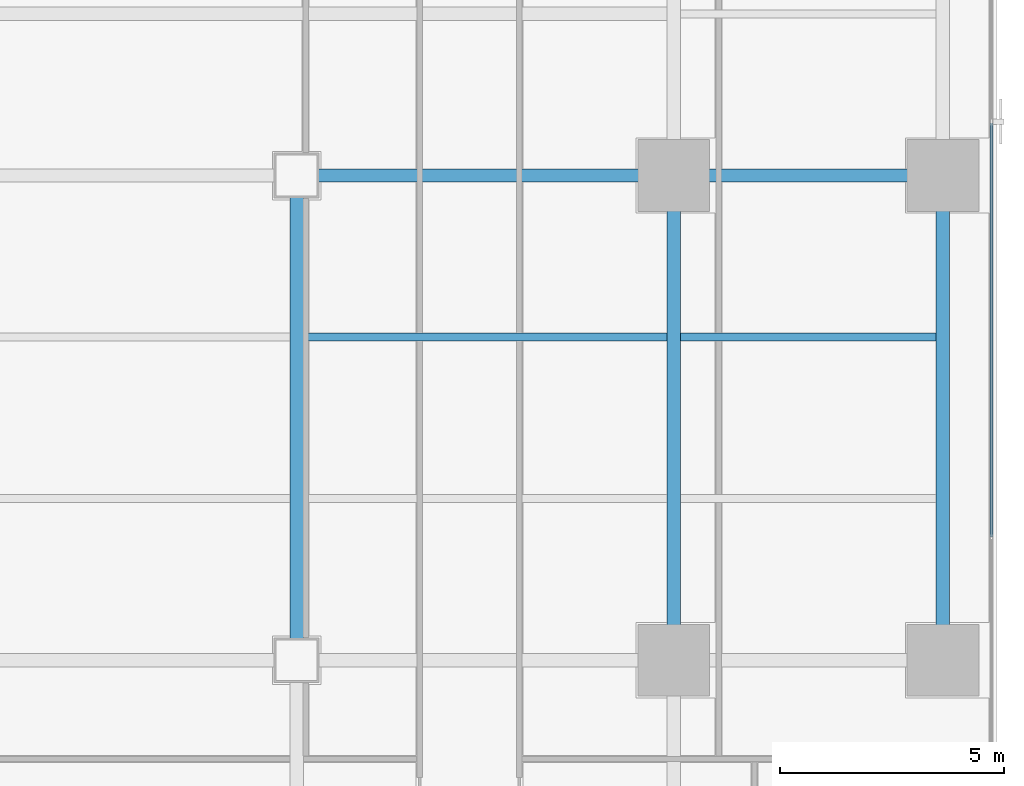
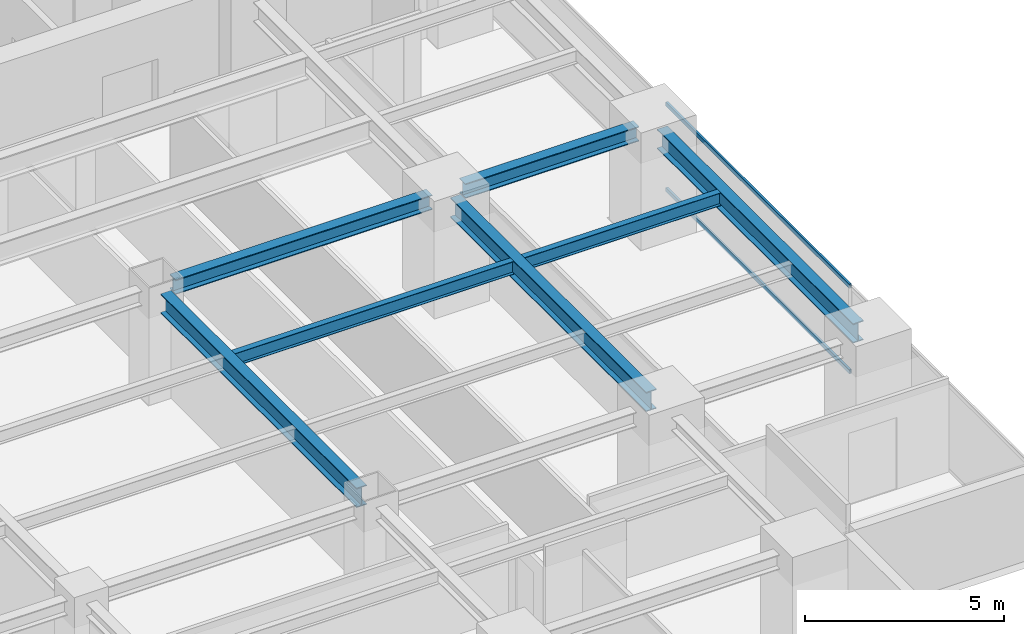
# One storey, part 12 of 28: 7 beams, 2 members, 1 element without a shape of its own.
"""IFC4 building model written with IfcOpenShell, lengths in metres."""

from ifc_helpers import new_model, si_unit, direction, frame, origin, origin_2d, place, context, subcontext, project, spatial, hollow_rectangle, i_section, extrude, source, transform, mapped, material, layer, layer_set, material_profile, profile_set, type_object, element, aggregate, save


model = new_model("IFC4")

# Units and contexts
model_context = context("Model", 3, precision=1e-05, world=origin(), true_north=direction((0.0, 1.0)))
body_context = subcontext(model_context, "Body", "Model", "MODEL_VIEW")
ifc_project = project(units=[si_unit("LENGTHUNIT", "METRE"), si_unit("AREAUNIT", "SQUARE_METRE"), si_unit("VOLUMEUNIT", "CUBIC_METRE"), si_unit("PLANEANGLEUNIT", "RADIAN"), si_unit("MASSUNIT", "GRAM", prefix="KILO")], contexts=[model_context])

# Site, building, storey
site_placement = place(None, origin())
site = spatial("IfcSite", under=ifc_project, at=site_placement, CompositionType="ELEMENT")
building_placement = place(site_placement, origin())
building = spatial("IfcBuilding", under=site, at=building_placement, Name="Sumidabori Civic Tower", CompositionType="ELEMENT")
storey_placement = place(building_placement, frame((0.0, 0.0, 185.60009765625)))
storey = spatial("IfcBuildingStorey", under=building, at=storey_placement, Name="L48", CompositionType="ELEMENT", Elevation=185.60009765625)

# Beams
ifc_material_1 = material(Name="Steel SN490", Category="steel")
ifc_material_profile_1 = material_profile(ifc_material_1, i_section(OverallWidth=0.300048828125, OverallDepth=0.60009765625, WebThickness=0.015380859375, FlangeThickness=0.030029296875, at=origin_2d()), Name="HE 600 B")
ifc_profile_set_1 = profile_set([ifc_material_profile_1], Name="Steel SN490")
beam_type_1 = type_object("IfcBeamType", Name="BM-GIRD-600", PredefinedType="BEAM", material=ifc_profile_set_1)
shared_shape_1 = source(origin(), body_context, "Body", "SweptSolid", [
    extrude(i_section(OverallWidth=0.300048828125, OverallDepth=0.60009765625, WebThickness=0.015380859375, FlangeThickness=0.030029296875, at=origin_2d()), origin(), (0.0, 0.0, 1.0), 9.840087890625),
])
for number, where, z_axis, x_axis, name in (
    (1, (8.39990234375, -10.320068359375, 3.0), (0.0, 1.0, 0.0), (-1.0, 0.0, 0.0), "Primary Girder L48 GY-31"),
    (2, (16.800048828125, -10.320068359375, 3.0), (0.0, 1.0, 0.0), (-1.0, 0.0, 0.0), "Primary Girder L48 GY-33"),
    (3, (22.800048828125, -10.320068359375, 3.0), (0.0, 1.0, 0.0), (-1.0, 0.0, 0.0), "Primary Girder L48 GY-36"),
):
    element("IfcBeam", number, at=place(storey_placement, frame(where, z_axis=z_axis, x_axis=x_axis)), inside=storey, type_object=beam_type_1, Name=name, PredefinedType="BEAM", context=body_context, shape_type="MappedRepresentation", body=[
        mapped(shared_shape_1, transform((0.0, 0.0, 0.0), x_axis=(1.0, 0.0, 0.0), y_axis=(0.0, 1.0, 0.0), z_axis=(0.0, 0.0, 1.0), scale=1.0)),
    ])
ifc_material_profile_2 = material_profile(ifc_material_1, i_section(OverallWidth=0.179931640625, OverallDepth=0.39990234375, WebThickness=0.008544921875, FlangeThickness=0.013427734375, at=origin_2d()), Name="IPE 400")
ifc_profile_set_2 = profile_set([ifc_material_profile_2], Name="Steel SN490")
beam_type_2 = type_object("IfcBeamType", Name="BM-JST-400", PredefinedType="JOIST", material=ifc_profile_set_2)
shared_shape_2 = source(origin(), body_context, "Body", "SweptSolid", [
    extrude(i_section(OverallWidth=0.179931640625, OverallDepth=0.39990234375, WebThickness=0.008544921875, FlangeThickness=0.013427734375, at=origin_2d()), origin(), (0.0, 0.0, 1.0), 5.699951171875),
])
beam_1_placement = place(storey_placement, frame((16.949951171875, -3.60009765625, 3.099853515625), z_axis=(1.0, 0.0, 0.0), x_axis=(0.0, 1.0, 0.0)))
element("IfcBeam", 4, at=beam_1_placement, inside=storey, type_object=beam_type_2, Name="Outer Bay Floor Joist L48 JSTO-42", PredefinedType="JOIST", context=body_context, shape_type="MappedRepresentation", body=[
    mapped(shared_shape_2, transform((0.0, 0.0, 0.0), x_axis=(1.0, 0.0, 0.0), y_axis=(0.0, 1.0, 0.0), z_axis=(0.0, 0.0, 1.0), scale=1.0)),
])
shared_shape_3 = source(origin(), body_context, "Body", "SweptSolid", [
    extrude(i_section(OverallWidth=0.179931640625, OverallDepth=0.39990234375, WebThickness=0.008544921875, FlangeThickness=0.013427734375, at=origin_2d()), origin(), (0.0, 0.0, 1.0), 8.099853515625),
])
beam_2_placement = place(storey_placement, frame((8.550048828125, -3.60009765625, 3.099853515625), z_axis=(1.0, 0.0, 0.0), x_axis=(0.0, 1.0, 0.0)))
element("IfcBeam", 5, at=beam_2_placement, inside=storey, type_object=beam_type_2, Name="South Bay Floor Joist L48 JSTS-60", PredefinedType="JOIST", context=body_context, shape_type="MappedRepresentation", body=[
    mapped(shared_shape_3, transform((0.0, 0.0, 0.0), x_axis=(1.0, 0.0, 0.0), y_axis=(0.0, 1.0, 0.0), z_axis=(0.0, 0.0, 1.0), scale=1.0)),
])
ifc_material_profile_3 = material_profile(ifc_material_1, i_section(OverallWidth=0.300048828125, OverallDepth=0.449951171875, WebThickness=0.013916015625, FlangeThickness=0.02587890625, at=origin_2d()), Name="HE 450 B")
ifc_profile_set_3 = profile_set([ifc_material_profile_3], Name="Steel SN490")
beam_type_3 = type_object("IfcBeamType", Name="BM-GIRD-450", PredefinedType="BEAM", material=ifc_profile_set_3)
shared_shape_4 = source(origin(), body_context, "Body", "SweptSolid", [
    extrude(i_section(OverallWidth=0.300048828125, OverallDepth=0.449951171875, WebThickness=0.013916015625, FlangeThickness=0.02587890625, at=origin_2d()), origin(), (0.0, 0.0, 1.0), 7.440185546875),
])
beam_3_placement = place(storey_placement, frame((8.8798828125, 0.0, 3.074951171875), z_axis=(1.0, 0.0, 0.0), x_axis=(0.0, 1.0, 0.0)))
element("IfcBeam", 6, at=beam_3_placement, inside=storey, type_object=beam_type_3, Name="Primary Girder L48 GX-15", PredefinedType="BEAM", context=body_context, shape_type="MappedRepresentation", body=[
    mapped(shared_shape_4, transform((0.0, 0.0, 0.0), x_axis=(1.0, 0.0, 0.0), y_axis=(0.0, 1.0, 0.0), z_axis=(0.0, 0.0, 1.0), scale=1.0)),
])
shared_shape_5 = source(origin(), body_context, "Body", "SweptSolid", [
    extrude(i_section(OverallWidth=0.300048828125, OverallDepth=0.449951171875, WebThickness=0.013916015625, FlangeThickness=0.02587890625, at=origin_2d()), origin(), (0.0, 0.0, 1.0), 5.0400390625),
])
beam_4_placement = place(storey_placement, frame((17.280029296875, 0.0, 3.074951171875), z_axis=(1.0, 0.0, 0.0), x_axis=(0.0, 1.0, 0.0)))
element("IfcBeam", 7, at=beam_4_placement, inside=storey, type_object=beam_type_3, Name="Primary Girder L48 GX-16", PredefinedType="BEAM", context=body_context, shape_type="MappedRepresentation", body=[
    mapped(shared_shape_5, transform((0.0, 0.0, 0.0), x_axis=(1.0, 0.0, 0.0), y_axis=(0.0, 1.0, 0.0), z_axis=(0.0, 0.0, 1.0), scale=1.0)),
])

# Curtain wall, members
ifc_material_2 = material(Name="Anodised Bronze Aluminium AW-6063-T6", Category="aluminium")
ifc_layer = layer(ifc_material_2, 0.179931640625, Name="Anodised Bronze Aluminium AW-6063-T6")
ifc_layer_set = layer_set([ifc_layer], Name="Anodised Bronze Aluminium AW-6063-T6")
curtain_wall_type = type_object("IfcCurtainWallType", Name="CW-SYS-3", PredefinedType="NOTDEFINED", material=ifc_layer_set)
curtain_wall_placement = place(storey_placement, origin())
curtain_wall = element("IfcCurtainWall", 8, at=curtain_wall_placement, inside=storey, type_object=curtain_wall_type, Name="Curtain Wall CW:L48:R04", PredefinedType="NOTDEFINED")
ifc_material_profile_4 = material_profile(ifc_material_2, hollow_rectangle(XDim=0.06005859375, YDim=0.1298828125, WallThickness=0.0048828125, at=origin_2d()), Name="ALU TRANSOM 130x60")
ifc_profile_set_4 = profile_set([ifc_material_profile_4], Name="Anodised Bronze Aluminium AW-6063-T6")
member_type = type_object("IfcMemberType", Name="CW-TRN-130", PredefinedType="USERDEFINED", material=ifc_profile_set_4)
shared_shape_6 = source(origin(), body_context, "Body", "SweptSolid", [
    extrude(hollow_rectangle(XDim=0.06005859375, YDim=0.1298828125, WallThickness=0.0048828125, at=origin_2d()), origin(), (0.0, 0.0, 1.0), 9.219970703125),
])
member_1_placement = place(storey_placement, frame((23.8798828125, -8.052490234375, 0.02978515625), z_axis=(0.0, 1.0, 0.0), x_axis=(-1.0, 0.0, 0.0)))
member_1 = element("IfcMember", 9, at=member_1_placement, type_object=member_type, Name="CW-3 transom 2.1", ObjectType="TRANSOM", PredefinedType="USERDEFINED", context=body_context, shape_type="MappedRepresentation", body=[
    mapped(shared_shape_6, transform((0.0, 0.0, 0.0), x_axis=(1.0, 0.0, 0.0), y_axis=(0.0, 1.0, 0.0), z_axis=(0.0, 0.0, 1.0), scale=1.0)),
])
member_2_placement = place(storey_placement, frame((23.8798828125, -8.052490234375, 2.64990234375), z_axis=(0.0, 1.0, 0.0), x_axis=(-1.0, 0.0, 0.0)))
member_2 = element("IfcMember", 10, at=member_2_placement, type_object=member_type, Name="CW-3 transom 2.2", ObjectType="TRANSOM", PredefinedType="USERDEFINED", context=body_context, shape_type="MappedRepresentation", body=[
    mapped(shared_shape_6, transform((0.0, 0.0, 0.0), x_axis=(1.0, 0.0, 0.0), y_axis=(0.0, 1.0, 0.0), z_axis=(0.0, 0.0, 1.0), scale=1.0)),
])
aggregate(curtain_wall, [member_1, member_2])

save(model, "model.ifc")
